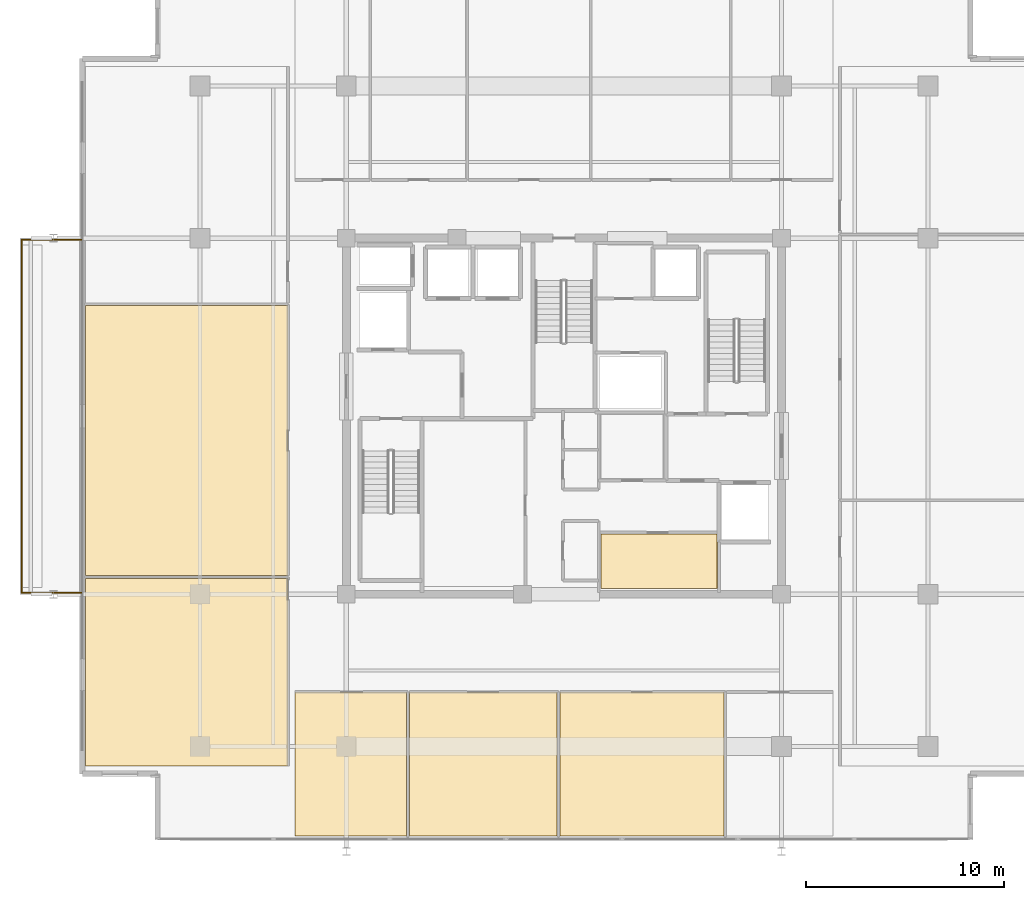
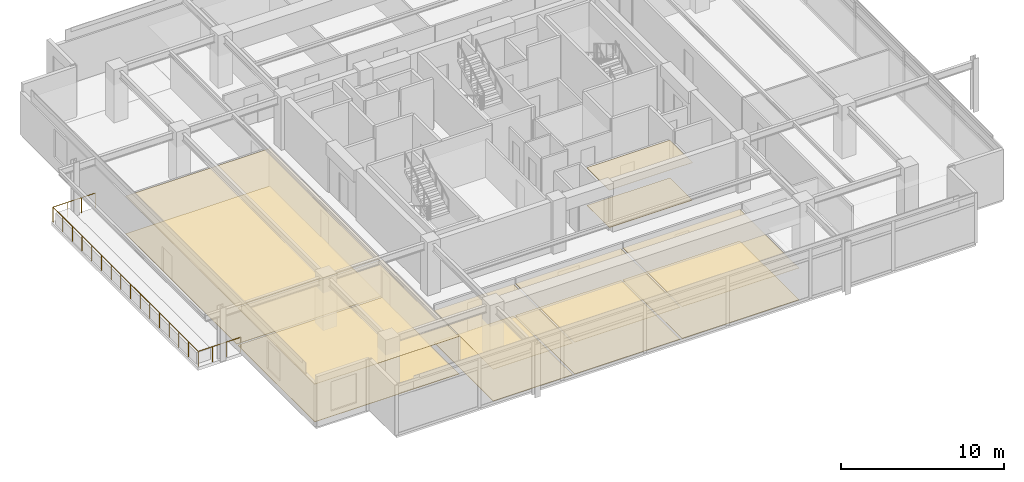
# One storey, part 17 of 20: 12 coverings, 1 railing.
"""IFC4 building model written with IfcOpenShell, lengths in metres."""

import ifcopenshell
import ifcopenshell.guid

model = None  # the IFC model being written
_history = None  # IfcOwnerHistory: only IFC2X3 demands one
_inside = {}  # id of a spatial element -> (the spatial element, [elements in it])
_under = {}  # id of a project, library or spatial element -> (it, [spatial elements below it])
_declared = {}  # id of a project -> (the project, [libraries it declares])
_typed = {}  # id of a type object -> (the type object, [elements of that type])
_made_of = {}  # id of a material, layer set ... -> (it, [elements and type objects made of it])


def new_model(schema):
    """Start an empty IFC model of exactly this schema.

    Asked for "IFC4X3", IfcOpenShell would pick the latest addendum, in which some entities
    have other attributes; the version numbers below select the first issue.
    IFC2X3 requires an IfcOwnerHistory on every rooted entity: one is made here for all.
    """
    global model, _history
    if schema == "IFC4X3":
        model = ifcopenshell.file(schema_version=(4, 3, 0, 0))
    else:
        model = ifcopenshell.file(schema=schema)
    _inside.clear()
    _under.clear()
    _declared.clear()
    _typed.clear()
    _made_of.clear()
    _history = None
    if model.schema == "IFC2X3":
        org = make("IfcOrganization", Name="unknown")
        user = make(
            "IfcPersonAndOrganization",
            ThePerson=make("IfcPerson", FamilyName="unknown"),
            TheOrganization=org,
        )
        app = make(
            "IfcApplication",
            ApplicationDeveloper=org,
            Version="unknown",
            ApplicationFullName="unknown",
            ApplicationIdentifier="unknown",
        )
        _history = make(
            "IfcOwnerHistory",
            OwningUser=user,
            OwningApplication=app,
            ChangeAction="ADDED",
            CreationDate=0,
        )
    return model


def make(cls, **values):
    """One entity of the class cls with the attributes given. An attribute that is None is left unset."""
    return model.create_entity(
        cls, **{name: value for name, value in values.items() if value is not None}
    )


def rooted(cls, **values):
    """An entity with a GlobalId (a new one), such as an element, a storey or a relation."""
    return make(cls, GlobalId=ifcopenshell.guid.new(), OwnerHistory=_history, **values)


def si_unit(unit_type, name, prefix=None):
    """IfcSIUnit, for example si_unit("LENGTHUNIT", "METRE", prefix="MILLI")."""
    return make("IfcSIUnit", UnitType=unit_type, Prefix=prefix, Name=name)


def assignment(units):
    """IfcUnitAssignment: the units of a project."""
    return None if units is None else make("IfcUnitAssignment", Units=units)


def point(xyz):
    """IfcCartesianPoint."""
    return None if xyz is None else make("IfcCartesianPoint", Coordinates=xyz)


def direction(xyz):
    """IfcDirection."""
    return None if xyz is None else make("IfcDirection", DirectionRatios=xyz)


def frame(location, z_axis=None, x_axis=None):
    """IfcAxis2Placement3D, a coordinate frame: its origin and axes. An axis left out is left unset."""
    return make(
        "IfcAxis2Placement3D",
        Location=point(location),
        Axis=direction(z_axis),
        RefDirection=direction(x_axis),
    )


def frame_2d(location, x_axis=None):
    """IfcAxis2Placement2D, a coordinate frame in the plane: its origin and x axis."""
    return make(
        "IfcAxis2Placement2D", Location=point(location), RefDirection=direction(x_axis)
    )


def origin():
    """The frame at (0, 0, 0) with its axes left unset."""
    return frame((0.0, 0.0, 0.0))


def origin_2d():
    """The frame at (0, 0) in the plane with its x axis left unset."""
    return frame_2d((0.0, 0.0))


def place(relative_to, where):
    """IfcLocalPlacement: puts the frame where relative to a parent placement (None: the world)."""
    return make(
        "IfcLocalPlacement", PlacementRelTo=relative_to, RelativePlacement=where
    )


def context(
    kind, dimensions, precision=None, world=None, true_north=None, identifier=None
):
    """IfcGeometricRepresentationContext, for example the 3D "Model" context."""
    return make(
        "IfcGeometricRepresentationContext",
        ContextIdentifier=identifier,
        ContextType=kind,
        CoordinateSpaceDimension=dimensions,
        Precision=precision,
        WorldCoordinateSystem=world,
        TrueNorth=true_north,
    )


def subcontext(parent, identifier, kind, view, scale=None):
    """IfcGeometricRepresentationSubContext, for example "Body" below "Model"."""
    return make(
        "IfcGeometricRepresentationSubContext",
        ContextIdentifier=identifier,
        ContextType=kind,
        ParentContext=parent,
        TargetScale=scale,
        TargetView=view,
    )


def project(units=None, contexts=None):
    """IfcProject with its units and contexts."""
    return rooted(
        "IfcProject",
        Name="project",
        RepresentationContexts=contexts,
        UnitsInContext=assignment(units),
    )


def spatial(cls, under=None, at=None, **own):
    """A site, building, storey or space (cls), placed at a placement, below another one or the project."""
    s = rooted(cls, ObjectPlacement=at, **own)
    if under is not None:
        _under.setdefault(under.id(), (under, []))[1].append(s)
    return s


def polyline(points):
    """IfcPolyline through the points."""
    return make("IfcPolyline", Points=[point(p) for p in points])


def profile(cls, at=None, kind="AREA", **sizes):
    """A parametric profile (cls). Its sizes go by their IFC names, for example OverallWidth=200.0."""
    return make(cls, ProfileType=kind, Position=at, **sizes)


def circle(**sizes):
    """IfcCircleProfileDef."""
    return profile("IfcCircleProfileDef", **sizes)


def outline(outer, holes=None, kind="AREA"):
    """IfcArbitraryClosedProfileDef: a profile drawn as a closed curve; with holes, ...WithVoids."""
    if holes is None:
        return make("IfcArbitraryClosedProfileDef", ProfileType=kind, OuterCurve=outer)
    return make(
        "IfcArbitraryProfileDefWithVoids",
        ProfileType=kind,
        OuterCurve=outer,
        InnerCurves=holes,
    )


def extrude(swept, where, along, depth):
    """IfcExtrudedAreaSolid: the profile swept, set in the frame where, extruded along a direction by depth."""
    return make(
        "IfcExtrudedAreaSolid",
        SweptArea=swept,
        Position=where,
        ExtrudedDirection=direction(along),
        Depth=depth,
    )


def shape(context_of_items, identifier, shape_type, items):
    """IfcShapeRepresentation: the items that make up one representation, for example the "Body"."""
    return make(
        "IfcShapeRepresentation",
        ContextOfItems=context_of_items,
        RepresentationIdentifier=identifier,
        RepresentationType=shape_type,
        Items=items,
    )


def material(Name=None, Category=None):
    """IfcMaterial."""
    return make("IfcMaterial", Name=Name, Category=Category)


def layer(
    of_material, thickness, ventilated=None, Name=None, Category=None, Priority=None
):
    """IfcMaterialLayer: one layer of a wall or slab, of a material (None: an air gap)."""
    return make(
        "IfcMaterialLayer",
        Material=of_material,
        LayerThickness=thickness,
        IsVentilated=ventilated,
        Name=Name,
        Category=Category,
        Priority=Priority,
    )


def layer_set(layers, Name=None):
    """IfcMaterialLayerSet."""
    return make("IfcMaterialLayerSet", MaterialLayers=layers, LayerSetName=Name)


def made_of(thing, what):
    """Note that an element or type object is made of a material, layer set ...; save() writes the relation."""
    if what is not None:
        _made_of.setdefault(what.id(), (what, []))[1].append(thing)
    return thing


def type_object(cls, material=None, **own):
    """A type object (cls), such as IfcWallType, which elements share."""
    return made_of(rooted(cls, **own), material)


def element(
    cls,
    number,
    at=None,
    inside=None,
    cuts=None,
    type_object=None,
    material=None,
    context=None,
    identifier="Body",
    shape_type=None,
    held_by="IfcProductDefinitionShape",
    body=None,
    shapes=None,
    **own,
):
    """One element of the class cls, such as IfcWall. Its Tag is "e" and its number.

    at: its placement. inside: the storey or other place that contains it. cuts: it is an
    opening in that element (IfcRelVoidsElement). A single representation is given by context,
    identifier, shape_type and body (its items); several are given by shapes. held_by: the class
    of the entity that holds the representations. save() writes the other relations.
    """
    e = rooted(cls, Tag="e%d" % number, ObjectPlacement=at, **own)
    if body is not None:
        shapes = [shape(context, identifier, shape_type, body)]
    if shapes is not None:
        e.Representation = make(held_by, Representations=shapes)
    if inside is not None:
        _inside.setdefault(inside.id(), (inside, []))[1].append(e)
    if cuts is not None:
        rooted(
            "IfcRelVoidsElement", RelatingBuildingElement=cuts, RelatedOpeningElement=e
        )
    if type_object is not None:
        _typed.setdefault(type_object.id(), (type_object, []))[1].append(e)
    return made_of(e, material)


def aggregate(whole, parts):
    """IfcRelAggregates: a whole, such as a stair, and the parts it consists of."""
    return rooted("IfcRelAggregates", RelatingObject=whole, RelatedObjects=parts)


def save(model, path):
    """Write the relations noted so far, then the file.

    IfcRelAggregates (storeys below a building ...), IfcRelContainedInSpatialStructure (elements
    in a storey), IfcRelDefinesByType, IfcRelAssociatesMaterial and IfcRelDeclares: one each for
    every whole, place, type object, material and project.
    """
    for whole, parts in _under.values():
        aggregate(whole, parts)
    for where, things in _inside.values():
        rooted(
            "IfcRelContainedInSpatialStructure",
            RelatedElements=things,
            RelatingStructure=where,
        )
    for kind, things in _typed.values():
        rooted("IfcRelDefinesByType", RelatedObjects=things, RelatingType=kind)
    for what, things in _made_of.values():
        rooted("IfcRelAssociatesMaterial", RelatedObjects=things, RelatingMaterial=what)
    for by, libraries in _declared.values():
        rooted("IfcRelDeclares", RelatingContext=by, RelatedDefinitions=libraries)
    model.write(path)


model = new_model("IFC4")

# Units and contexts
model_context = context("Model", 3, precision=1e-05, world=origin(), true_north=direction((0.0, 1.0)))
body_context = subcontext(model_context, "Body", "Model", "MODEL_VIEW")
ifc_project = project(units=[si_unit("LENGTHUNIT", "METRE"), si_unit("AREAUNIT", "SQUARE_METRE"), si_unit("VOLUMEUNIT", "CUBIC_METRE"), si_unit("PLANEANGLEUNIT", "RADIAN"), si_unit("MASSUNIT", "GRAM", prefix="KILO")], contexts=[model_context])

# Site, building, storey
site_placement = place(None, origin())
site = spatial("IfcSite", under=ifc_project, at=site_placement, CompositionType="ELEMENT")
building_placement = place(site_placement, origin())
building = spatial("IfcBuilding", under=site, at=building_placement, Name="Kovane Verandah Tower", CompositionType="ELEMENT")
storey_placement = place(building_placement, frame((0.0, 0.0, 334.800048828125)))
storey = spatial("IfcBuildingStorey", under=building, at=storey_placement, Name="L78", CompositionType="ELEMENT", Elevation=334.800048828125)

# Coverings
ifc_material_1 = material(Name="Perforated Acoustic Mineral-Fibre Ceiling Tile", Category="gypsum")
ifc_layer_1 = layer(ifc_material_1, 0.02490234375)
ifc_layer_set_1 = layer_set([ifc_layer_1], Name="Perforated Acoustic Mineral-Fibre Ceiling Tile")
covering_type_1 = type_object("IfcCoveringType", Name="CV-CEIL-25", PredefinedType="CEILING", material=ifc_layer_set_1)
covering_1_placement = place(storey_placement, frame((0.0, 0.0, 2.824951171875)))
element("IfcCovering", 1, at=covering_1_placement, inside=storey, type_object=covering_type_1, Name="L78 Records Vault Room Acoustic Ceiling", PredefinedType="CEILING", context=body_context, shape_type="SweptSolid", body=[
    extrude(outline(polyline([(41.864990234375, 18.784912109375), (47.764892578125, 18.784912109375), (47.764892578125, 21.56494140625), (41.864990234375, 21.56494140625), (41.864990234375, 18.784912109375)])), origin(), (0.0, 0.0, 1.0), 0.02490234375),
])
covering_2_placement = place(storey_placement, frame((0.0, 0.0, 2.389892578125)))
element("IfcCovering", 2, at=covering_2_placement, inside=storey, type_object=covering_type_1, Name="L78 Executive Office S1 Acoustic Ceiling", PredefinedType="CEILING", context=body_context, shape_type="SweptSolid", body=[
    extrude(outline(polyline([(26.39990234375, 6.27783203125), (32.0419921875, 6.27783203125), (32.0419921875, 13.550048828125), (26.39990234375, 13.550048828125), (26.39990234375, 6.27783203125)])), origin(), (0.0, 0.0, 1.0), 0.025146484375),
])
covering_3_placement = place(storey_placement, frame((0.0, 0.0, 2.389892578125)))
element("IfcCovering", 3, at=covering_3_placement, inside=storey, type_object=covering_type_1, Name="L78 Client Boardroom S2 Acoustic Ceiling", PredefinedType="CEILING", context=body_context, shape_type="SweptSolid", body=[
    extrude(outline(polyline([(32.181884765625, 6.27783203125), (39.657958984375, 6.27783203125), (39.657958984375, 13.550048828125), (32.181884765625, 13.550048828125), (32.181884765625, 6.27783203125)])), origin(), (0.0, 0.0, 1.0), 0.025146484375),
])
covering_4_placement = place(storey_placement, frame((0.0, 0.0, 2.389892578125)))
element("IfcCovering", 4, at=covering_4_placement, inside=storey, type_object=covering_type_1, Name="L78 Meeting Room S3 Acoustic Ceiling", PredefinedType="CEILING", context=body_context, shape_type="SweptSolid", body=[
    extrude(outline(polyline([(39.798095703125, 6.27783203125), (48.090087890625, 6.27783203125), (48.090087890625, 13.550048828125), (39.798095703125, 13.550048828125), (39.798095703125, 6.27783203125)])), origin(), (0.0, 0.0, 1.0), 0.025146484375),
])
covering_5_placement = place(storey_placement, frame((0.0, 0.0, 2.824951171875)))
element("IfcCovering", 5, at=covering_5_placement, inside=storey, type_object=covering_type_1, Name="L78 Breakout Pantry W1 Acoustic Ceiling", PredefinedType="CEILING", context=body_context, shape_type="SweptSolid", body=[
    extrude(outline(polyline([(15.8056640625, 9.827880859375), (26.050048828125, 9.827880859375), (26.050048828125, 19.30078125), (15.8056640625, 19.30078125), (15.8056640625, 9.827880859375)])), origin(), (0.0, 0.0, 1.0), 0.02490234375),
])
covering_6_placement = place(storey_placement, frame((0.0, 0.0, 2.824951171875)))
element("IfcCovering", 6, at=covering_6_placement, inside=storey, type_object=covering_type_1, Name="L78 Collaboration Hub W2 Acoustic Ceiling", PredefinedType="CEILING", context=body_context, shape_type="SweptSolid", body=[
    extrude(outline(polyline([(15.8056640625, 19.44091796875), (26.050048828125, 19.44091796875), (26.050048828125, 33.085205078125), (15.8056640625, 33.085205078125), (15.8056640625, 19.44091796875)])), origin(), (0.0, 0.0, 1.0), 0.02490234375),
])
ifc_material_2 = material(Name="Polished Terrazzo and Raised-Access Carpet Tile Finish", Category="concrete")
ifc_layer_2 = layer(ifc_material_2, 0.030029296875)
ifc_layer_set_2 = layer_set([ifc_layer_2], Name="Polished Terrazzo and Raised-Access Carpet Tile Finish")
covering_type_2 = type_object("IfcCoveringType", Name="CV-FLOR-30", PredefinedType="FLOORING", material=ifc_layer_set_2)
covering_7_placement = place(storey_placement, origin())
element("IfcCovering", 7, at=covering_7_placement, inside=storey, type_object=covering_type_2, Name="L78 Records Vault Room Floor Finish", PredefinedType="FLOORING", context=body_context, shape_type="SweptSolid", body=[
    extrude(outline(polyline([(41.8798828125, 18.800048828125), (47.75, 18.800048828125), (47.75, 21.550048828125), (41.8798828125, 21.550048828125), (41.8798828125, 18.800048828125)])), origin(), (0.0, 0.0, 1.0), 0.030029296875),
])
covering_8_placement = place(storey_placement, origin())
element("IfcCovering", 8, at=covering_8_placement, inside=storey, type_object=covering_type_2, Name="L78 Executive Office S1 Floor Finish", PredefinedType="FLOORING", context=body_context, shape_type="SweptSolid", body=[
    extrude(outline(polyline([(26.39990234375, 6.27783203125), (32.0419921875, 6.27783203125), (32.0419921875, 13.550048828125), (26.39990234375, 13.550048828125), (26.39990234375, 6.27783203125)])), origin(), (0.0, 0.0, 1.0), 0.030029296875),
])
covering_9_placement = place(storey_placement, origin())
element("IfcCovering", 9, at=covering_9_placement, inside=storey, type_object=covering_type_2, Name="L78 Client Boardroom S2 Floor Finish", PredefinedType="FLOORING", context=body_context, shape_type="SweptSolid", body=[
    extrude(outline(polyline([(32.181884765625, 6.27783203125), (39.657958984375, 6.27783203125), (39.657958984375, 13.550048828125), (32.181884765625, 13.550048828125), (32.181884765625, 6.27783203125)])), origin(), (0.0, 0.0, 1.0), 0.030029296875),
])
covering_10_placement = place(storey_placement, origin())
element("IfcCovering", 10, at=covering_10_placement, inside=storey, type_object=covering_type_2, Name="L78 Meeting Room S3 Floor Finish", PredefinedType="FLOORING", context=body_context, shape_type="SweptSolid", body=[
    extrude(outline(polyline([(39.798095703125, 6.27783203125), (48.090087890625, 6.27783203125), (48.090087890625, 13.550048828125), (39.798095703125, 13.550048828125), (39.798095703125, 6.27783203125)])), origin(), (0.0, 0.0, 1.0), 0.030029296875),
])
covering_11_placement = place(storey_placement, origin())
element("IfcCovering", 11, at=covering_11_placement, inside=storey, type_object=covering_type_2, Name="L78 Breakout Pantry W1 Floor Finish", PredefinedType="FLOORING", context=body_context, shape_type="SweptSolid", body=[
    extrude(outline(polyline([(15.8056640625, 9.827880859375), (26.050048828125, 9.827880859375), (26.050048828125, 19.30078125), (15.8056640625, 19.30078125), (15.8056640625, 9.827880859375)])), origin(), (0.0, 0.0, 1.0), 0.030029296875),
])
covering_12_placement = place(storey_placement, origin())
element("IfcCovering", 12, at=covering_12_placement, inside=storey, type_object=covering_type_2, Name="L78 Collaboration Hub W2 Floor Finish", PredefinedType="FLOORING", context=body_context, shape_type="SweptSolid", body=[
    extrude(outline(polyline([(15.8056640625, 19.44091796875), (26.050048828125, 19.44091796875), (26.050048828125, 33.085205078125), (15.8056640625, 33.085205078125), (15.8056640625, 19.44091796875)])), origin(), (0.0, 0.0, 1.0), 0.030029296875),
])

# Railing
ifc_material_3 = material(Name="Laminated Glass and Pale-Champagne Stainless Balustrade", Category="glass")
railing_type = type_object("IfcRailingType", Name="RL-BAL-1150", PredefinedType="BALUSTRADE", material=ifc_material_3)
railing_placement = place(storey_placement, frame((15.605712890625, 18.580078125, 0.0)))
element("IfcRailing", 13, at=railing_placement, inside=storey, type_object=railing_type, Name="L78 W Verandah Glass Balustrade", PredefinedType="BALUSTRADE", context=body_context, shape_type="SweptSolid", body=[
    extrude(circle(Radius=0.02392578125, at=origin_2d()), frame((0.0, 0.0, 1.1259765625), z_axis=(-1.0, 0.0, 0.0), x_axis=(0.0, -1.0, 0.0)), (0.0, 0.0, 1.0), 3.02001953125),
    extrude(circle(Radius=0.02392578125, at=origin_2d()), frame((-3.02001953125, 0.0, 1.1259765625), z_axis=(0.0, 1.0, 0.0), x_axis=(-1.0, 0.0, 0.0)), (0.0, 0.0, 1.0), 17.83984375),
    extrude(circle(Radius=0.02392578125, at=origin_2d()), frame((-3.02001953125, 17.83984375, 1.1259765625), z_axis=(1.0, 0.0, 0.0), x_axis=(0.0, 1.0, 0.0)), (0.0, 0.0, 1.0), 3.02001953125),
    extrude(circle(Radius=0.02099609375, at=origin_2d()), origin(), (0.0, 0.0, 1.0), 1.101806640625),
    extrude(circle(Radius=0.02099609375, at=origin_2d()), frame((-1.006591796875, 0.0, 0.0)), (0.0, 0.0, 1.0), 1.101806640625),
    extrude(circle(Radius=0.02099609375, at=origin_2d()), frame((-2.013427734375, 0.0, 0.0)), (0.0, 0.0, 1.0), 1.101806640625),
    extrude(circle(Radius=0.02099609375, at=origin_2d()), frame((-3.02001953125, 0.0, 0.0)), (0.0, 0.0, 1.0), 1.101806640625),
    extrude(circle(Radius=0.02099609375, at=origin_2d()), frame((-3.02001953125, 1.189208984375, 0.0)), (0.0, 0.0, 1.0), 1.101806640625),
    extrude(circle(Radius=0.02099609375, at=origin_2d()), frame((-3.02001953125, 2.378662109375, 0.0)), (0.0, 0.0, 1.0), 1.101806640625),
    extrude(circle(Radius=0.02099609375, at=origin_2d()), frame((-3.02001953125, 3.56787109375, 0.0)), (0.0, 0.0, 1.0), 1.101806640625),
    extrude(circle(Radius=0.02099609375, at=origin_2d()), frame((-3.02001953125, 4.75732421875, 0.0)), (0.0, 0.0, 1.0), 1.101806640625),
    extrude(circle(Radius=0.02099609375, at=origin_2d()), frame((-3.02001953125, 5.946533203125, 0.0)), (0.0, 0.0, 1.0), 1.101806640625),
    extrude(circle(Radius=0.02099609375, at=origin_2d()), frame((-3.02001953125, 7.135986328125, 0.0)), (0.0, 0.0, 1.0), 1.101806640625),
    extrude(circle(Radius=0.02099609375, at=origin_2d()), frame((-3.02001953125, 8.3251953125, 0.0)), (0.0, 0.0, 1.0), 1.101806640625),
    extrude(circle(Radius=0.02099609375, at=origin_2d()), frame((-3.02001953125, 9.5146484375, 0.0)), (0.0, 0.0, 1.0), 1.101806640625),
    extrude(circle(Radius=0.02099609375, at=origin_2d()), frame((-3.02001953125, 10.703857421875, 0.0)), (0.0, 0.0, 1.0), 1.101806640625),
    extrude(circle(Radius=0.02099609375, at=origin_2d()), frame((-3.02001953125, 11.893310546875, 0.0)), (0.0, 0.0, 1.0), 1.101806640625),
    extrude(circle(Radius=0.02099609375, at=origin_2d()), frame((-3.02001953125, 13.08251953125, 0.0)), (0.0, 0.0, 1.0), 1.101806640625),
    extrude(circle(Radius=0.02099609375, at=origin_2d()), frame((-3.02001953125, 14.27197265625, 0.0)), (0.0, 0.0, 1.0), 1.101806640625),
    extrude(circle(Radius=0.02099609375, at=origin_2d()), frame((-3.02001953125, 15.461181640625, 0.0)), (0.0, 0.0, 1.0), 1.101806640625),
    extrude(circle(Radius=0.02099609375, at=origin_2d()), frame((-3.02001953125, 16.650634765625, 0.0)), (0.0, 0.0, 1.0), 1.101806640625),
    extrude(circle(Radius=0.02099609375, at=origin_2d()), frame((-3.02001953125, 17.83984375, 0.0)), (0.0, 0.0, 1.0), 1.101806640625),
    extrude(circle(Radius=0.02099609375, at=origin_2d()), frame((-2.013427734375, 17.83984375, 0.0)), (0.0, 0.0, 1.0), 1.101806640625),
    extrude(circle(Radius=0.02099609375, at=origin_2d()), frame((-1.006591796875, 17.83984375, 0.0)), (0.0, 0.0, 1.0), 1.101806640625),
    extrude(circle(Radius=0.02099609375, at=origin_2d()), frame((0.0, 17.83984375, 0.0)), (0.0, 0.0, 1.0), 1.101806640625),
])

save(model, "model.ifc")
